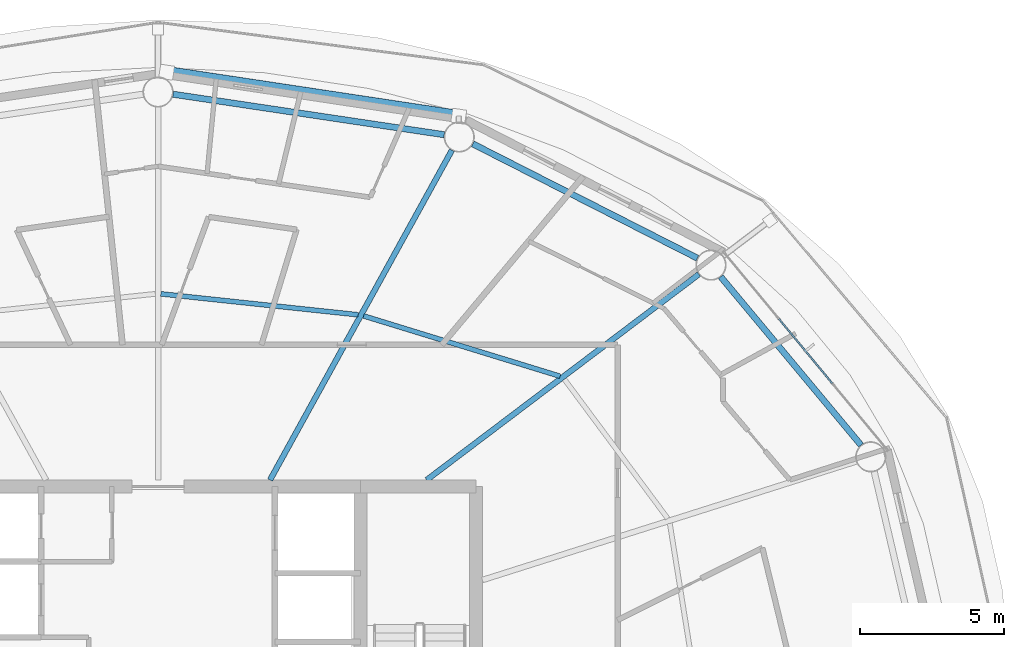
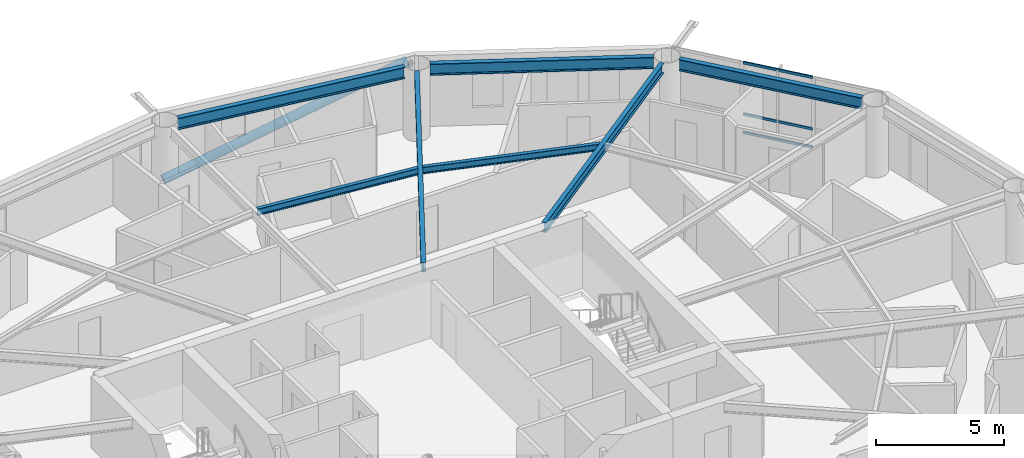
# One storey, part 14 of 28: 7 beams, 4 members, 1 element without a shape of its own.
"""IFC4 building model written with IfcOpenShell, lengths in metres."""

from ifc_helpers import new_model, si_unit, direction, frame, origin, origin_2d, place, context, subcontext, project, spatial, hollow_rectangle, hollow_circle, i_section, extrude, material, layer, layer_set, material_profile, profile_set, type_object, element, aggregate, save


model = new_model("IFC4")

# Units and contexts
model_context = context("Model", 3, precision=1e-05, world=origin(), true_north=direction((0.0, 1.0)))
body_context = subcontext(model_context, "Body", "Model", "MODEL_VIEW")
ifc_project = project(units=[si_unit("LENGTHUNIT", "METRE"), si_unit("AREAUNIT", "SQUARE_METRE"), si_unit("VOLUMEUNIT", "CUBIC_METRE"), si_unit("PLANEANGLEUNIT", "RADIAN"), si_unit("MASSUNIT", "GRAM", prefix="KILO")], contexts=[model_context])

# Site, building, storey
site_placement = place(None, origin())
site = spatial("IfcSite", under=ifc_project, at=site_placement, CompositionType="ELEMENT")
building_placement = place(site_placement, origin())
building = spatial("IfcBuilding", under=site, at=building_placement, Name="Sarneth Arch Tower", CompositionType="ELEMENT")
storey_placement = place(building_placement, frame((0.0, 0.0, 172.199951171875)))
storey = spatial("IfcBuildingStorey", under=building, at=storey_placement, Name="L43", CompositionType="ELEMENT", Elevation=172.199951171875)

# Beams
ifc_material_1 = material(Name="Steel S355", Category="steel")
ifc_material_profile_1 = material_profile(ifc_material_1, i_section(OverallWidth=0.1669921875, OverallDepth=0.31689453125, WebThickness=0.007568359375, FlangeThickness=0.01318359375, FilletRadius=0.012939453125, at=origin_2d()), Name="W310x52")
ifc_profile_set_1 = profile_set([ifc_material_profile_1], Name="Steel S355")
beam_type_1 = type_object("IfcBeamType", Name="BM-JOIST-310B", PredefinedType="JOIST", material=ifc_profile_set_1)
beam_1_placement = place(storey_placement, frame((61.912841796875, 52.61279296875, 3.221435546875), z_axis=(-0.955929549608, 0.293596144707, 0.0), x_axis=(-0.293596144707, -0.955929549608, 0.0)))
element("IfcBeam", 1, at=beam_1_placement, inside=storey, type_object=beam_type_1, Name="L43 Secondary floor joist 03", PredefinedType="JOIST", context=body_context, shape_type="SweptSolid", body=[
    extrude(i_section(OverallWidth=0.1669921875, OverallDepth=0.31689453125, WebThickness=0.007568359375, FlangeThickness=0.01318359375, FilletRadius=0.012939453125, at=origin_2d()), origin(), (0.0, 0.0, 1.0), 7.1123046875),
])
beam_2_placement = place(storey_placement, frame((54.92578125, 54.739501953125, 3.221435546875), z_axis=(-0.994407831942, 0.105608066799, 0.0), x_axis=(-0.105608066799, -0.994407831942, 0.0)))
element("IfcBeam", 2, at=beam_2_placement, inside=storey, type_object=beam_type_1, Name="L43 Secondary floor joist 04", PredefinedType="JOIST", context=body_context, shape_type="SweptSolid", body=[
    extrude(i_section(OverallWidth=0.1669921875, OverallDepth=0.31689453125, WebThickness=0.007568359375, FlangeThickness=0.01318359375, FilletRadius=0.012939453125, at=origin_2d()), origin(), (0.0, 0.0, 1.0), 6.8681640625),
])
ifc_material_2 = material(Name="Steel S355", Category="steel")
ifc_material_profile_2 = material_profile(ifc_material_2, i_section(OverallWidth=0.193115234375, OverallDepth=0.466064453125, WebThickness=0.011474609375, FlangeThickness=0.01904296875, FilletRadius=0.01806640625, at=origin_2d()), Name="W460x97")
ifc_profile_set_2 = profile_set([ifc_material_profile_2], Name="Steel S355")
beam_type_2 = type_object("IfcBeamType", Name="BM-RAD-460C", PredefinedType="BEAM", material=ifc_profile_set_2)
beam_3_placement = place(storey_placement, frame((57.29541015625, 49.02490234375, 3.14697265625), z_axis=(0.797786205076, 0.602940437349, 0.0), x_axis=(-0.602940437349, 0.797786205076, 0.0)))
element("IfcBeam", 3, at=beam_3_placement, inside=storey, type_object=beam_type_2, Name="L43 Radial floor girder 03", PredefinedType="BEAM", context=body_context, shape_type="SweptSolid", body=[
    extrude(i_section(OverallWidth=0.193115234375, OverallDepth=0.466064453125, WebThickness=0.011474609375, FlangeThickness=0.01904296875, FilletRadius=0.01806640625, at=origin_2d()), origin(), (0.0, 0.0, 1.0), 11.806884765625),
])
beam_4_placement = place(storey_placement, frame((51.875, 49.02490234375, 3.14697265625), z_axis=(0.483004525121, 0.87561785541, 0.0), x_axis=(-0.87561785541, 0.483004525121, 0.0)))
element("IfcBeam", 4, at=beam_4_placement, inside=storey, type_object=beam_type_2, Name="L43 Radial floor girder 04", PredefinedType="BEAM", context=body_context, shape_type="SweptSolid", body=[
    extrude(i_section(OverallWidth=0.193115234375, OverallDepth=0.466064453125, WebThickness=0.011474609375, FlangeThickness=0.01904296875, FilletRadius=0.01806640625, at=origin_2d()), origin(), (0.0, 0.0, 1.0), 13.029296875),
])
ifc_material_3 = material(Name="Steel S355", Category="steel")
ifc_material_profile_3 = material_profile(ifc_material_3, i_section(OverallWidth=0.214111328125, OverallDepth=0.549072265625, WebThickness=0.0146484375, FlangeThickness=0.023681640625, FilletRadius=0.01806640625, at=origin_2d()), Name="W530x138")
ifc_profile_set_3 = profile_set([ifc_material_profile_3], Name="Steel S355")
beam_type_3 = type_object("IfcBeamType", Name="BM-RAD-530A", PredefinedType="BEAM", material=ifc_profile_set_3)
beam_5_placement = place(storey_placement, frame((72.326171875, 50.229248046875, 3.10546875), z_axis=(-0.640171737024, 0.768231831621, 0.0), x_axis=(-0.768231831621, -0.640171737024, 0.0)))
element("IfcBeam", 5, at=beam_5_placement, inside=storey, type_object=beam_type_3, Name="L43 Perimeter spandrel beam 02", PredefinedType="BEAM", context=body_context, shape_type="SweptSolid", body=[
    extrude(i_section(OverallWidth=0.214111328125, OverallDepth=0.549072265625, WebThickness=0.0146484375, FlangeThickness=0.023681640625, FilletRadius=0.01806640625, at=origin_2d()), origin(), (0.0, 0.0, 1.0), 7.585693359375),
])
beam_6_placement = place(storey_placement, frame((66.665771484375, 56.698486328125, 3.10546875), z_axis=(-0.891254220899, 0.453504039374, 0.0), x_axis=(-0.453504039374, -0.891254220899, 0.0)))
element("IfcBeam", 6, at=beam_6_placement, inside=storey, type_object=beam_type_3, Name="L43 Perimeter spandrel beam 03", PredefinedType="BEAM", context=body_context, shape_type="SweptSolid", body=[
    extrude(i_section(OverallWidth=0.214111328125, OverallDepth=0.549072265625, WebThickness=0.0146484375, FlangeThickness=0.023681640625, FilletRadius=0.01806640625, at=origin_2d()), origin(), (0.0, 0.0, 1.0), 8.724853515625),
])
beam_7_placement = place(storey_placement, frame((57.902587890625, 60.970947265625, 3.10546875), z_axis=(-0.989027145133, 0.14773390332, 0.0), x_axis=(-0.14773390332, -0.989027145133, 0.0)))
element("IfcBeam", 7, at=beam_7_placement, inside=storey, type_object=beam_type_3, Name="L43 Perimeter spandrel beam 04", PredefinedType="BEAM", context=body_context, shape_type="SweptSolid", body=[
    extrude(i_section(OverallWidth=0.214111328125, OverallDepth=0.549072265625, WebThickness=0.0146484375, FlangeThickness=0.023681640625, FilletRadius=0.01806640625, at=origin_2d()), origin(), (0.0, 0.0, 1.0), 9.4873046875),
])

# Curtain wall, members
ifc_material_4 = material(Name="Anodised aluminium Type AA25 and solar-control low-e laminated IGU", Category="aluminium")
ifc_layer = layer(ifc_material_4, 0.169921875)
ifc_layer_set = layer_set([ifc_layer], Name="Anodised aluminium Type AA25 and solar-control low-e laminated IGU")
curtain_wall_type = type_object("IfcCurtainWallType", Name="CW-RES-MID", PredefinedType="NOTDEFINED", material=ifc_layer_set)
curtain_wall_placement = place(storey_placement, origin())
curtain_wall = element("IfcCurtainWall", 8, at=curtain_wall_placement, inside=storey, type_object=curtain_wall_type, Name="L43 Unitised curtain wall facet 02", PredefinedType="NOTDEFINED")
ifc_material_5 = material(Name="Anodised Aluminium 6063-T6", Category="aluminium")
ifc_material_profile_4 = material_profile(ifc_material_5, hollow_rectangle(XDim=0.06005859375, YDim=0.1201171875, WallThickness=0.00390625, at=origin_2d()), Name="AL-TRAN-120x60x4")
ifc_profile_set_4 = profile_set([ifc_material_profile_4], Name="Anodised Aluminium 6063-T6")
member_type_1 = type_object("IfcMemberType", Name="CW-TRANSOM", PredefinedType="USERDEFINED", material=ifc_profile_set_4)
member_1_placement = place(storey_placement, frame((71.327880859375, 52.36962890625, 0.030029296875), z_axis=(-0.637329777791, 0.770591171985, 0.0), x_axis=(-0.770591171985, -0.637329777791, 0.0)))
member_1 = element("IfcMember", 9, at=member_1_placement, type_object=member_type_1, Name="CW-SYS-5 transom 2.1", ObjectType="TRANSOM", PredefinedType="USERDEFINED", context=body_context, shape_type="SweptSolid", body=[
    extrude(hollow_rectangle(XDim=0.06005859375, YDim=0.1201171875, WallThickness=0.00390625, at=origin_2d()), origin(), (0.0, 0.0, 1.0), 2.898193359375),
])
member_2_placement = place(storey_placement, frame((71.327880859375, 52.36962890625, 0.900146484375), z_axis=(-0.637329777791, 0.770591171985, 0.0), x_axis=(-0.770591171985, -0.637329777791, 0.0)))
member_2 = element("IfcMember", 10, at=member_2_placement, type_object=member_type_1, Name="CW-SYS-5 transom 2.2", ObjectType="TRANSOM", PredefinedType="USERDEFINED", context=body_context, shape_type="SweptSolid", body=[
    extrude(hollow_rectangle(XDim=0.06005859375, YDim=0.1201171875, WallThickness=0.00390625, at=origin_2d()), origin(), (0.0, 0.0, 1.0), 2.898193359375),
])
member_3_placement = place(storey_placement, frame((71.327880859375, 52.36962890625, 3.35009765625), z_axis=(-0.637329777791, 0.770591171985, 0.0), x_axis=(-0.770591171985, -0.637329777791, 0.0)))
member_3 = element("IfcMember", 11, at=member_3_placement, type_object=member_type_1, Name="CW-SYS-5 transom 2.3", ObjectType="TRANSOM", PredefinedType="USERDEFINED", context=body_context, shape_type="SweptSolid", body=[
    extrude(hollow_rectangle(XDim=0.06005859375, YDim=0.1201171875, WallThickness=0.00390625, at=origin_2d()), origin(), (0.0, 0.0, 1.0), 2.898193359375),
])
aggregate(curtain_wall, [member_1, member_2, member_3])

# Member
ifc_material_6 = material(Name="Steel S355", Category="steel")
ifc_material_profile_5 = material_profile(ifc_material_6, hollow_circle(Radius=0.202880859375, WallThickness=0.01611328125, at=origin_2d()), Name="CHS406x16")
ifc_profile_set_5 = profile_set([ifc_material_profile_5], Name="Steel S355")
member_type_2 = type_object("IfcMemberType", Name="MEM-DIAG-BR2", PredefinedType="BRACE", material=ifc_profile_set_5)
member_4_placement = place(storey_placement, frame((48.296630859375, 63.13525390625, 0.02001953125), z_axis=(0.948052912183, -0.142822782379, 0.284248708942), x_axis=(0.148967610144, 0.988842075929, 0.0)))
element("IfcMember", 12, at=member_4_placement, inside=storey, type_object=member_type_2, Name="L43 Perimeter frame diagonal 04", PredefinedType="BRACE", context=body_context, shape_type="SweptSolid", body=[
    extrude(hollow_circle(Radius=0.202880859375, WallThickness=0.01611328125, at=origin_2d()), origin(), (0.0, 0.0, 1.0), 10.66162109375),
])

save(model, "model.ifc")
